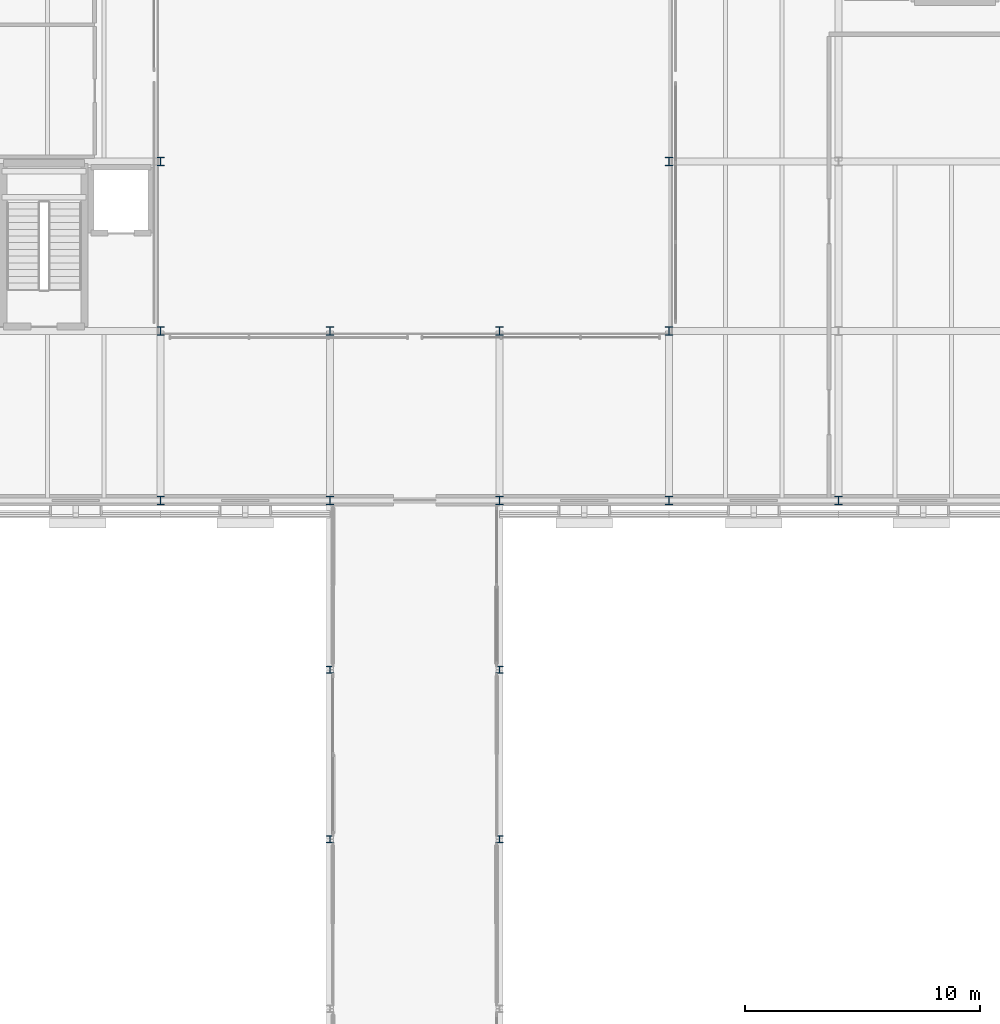
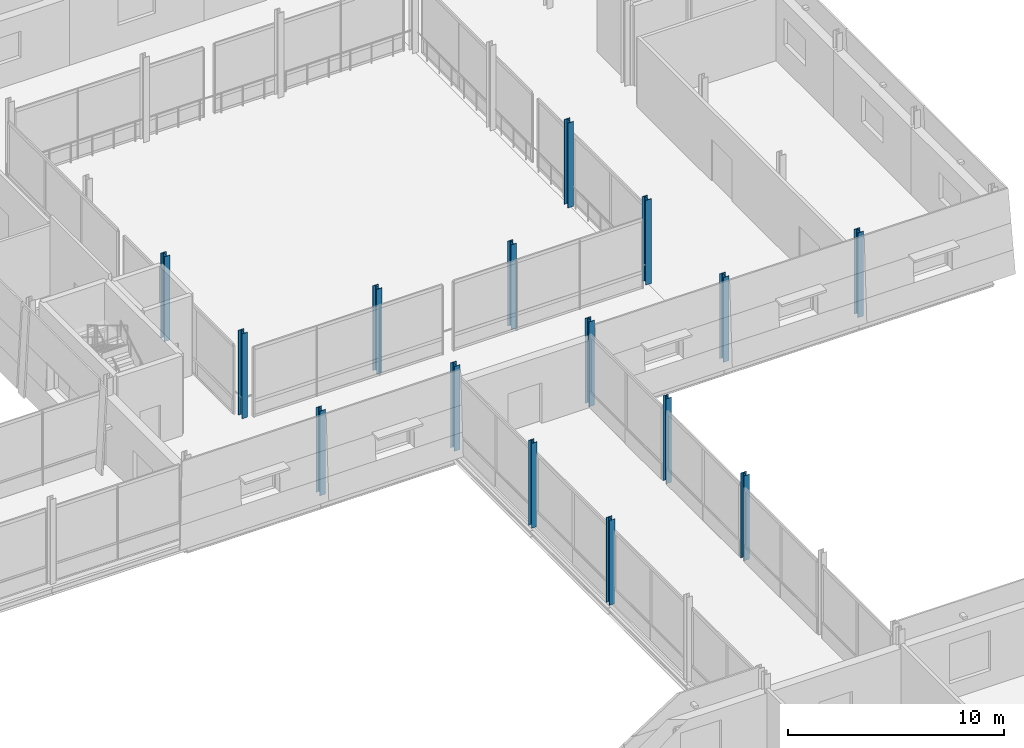
# One storey, part 19 of 121: 15 columns.
"""IFC4 building model written with IfcOpenShell, lengths in metres."""

from ifc_helpers import new_model, si_unit, direction, frame, origin, origin_2d, place, context, subcontext, project, spatial, i_section, extrude, material, material_profile, profile_set, type_object, element, save


model = new_model("IFC4")

# Units and contexts
model_context = context("Model", 3, precision=1e-05, world=origin(), true_north=direction((0.0, 1.0)))
body_context = subcontext(model_context, "Body", "Model", "MODEL_VIEW")
ifc_project = project(units=[si_unit("LENGTHUNIT", "METRE"), si_unit("AREAUNIT", "SQUARE_METRE"), si_unit("VOLUMEUNIT", "CUBIC_METRE"), si_unit("PLANEANGLEUNIT", "RADIAN"), si_unit("MASSUNIT", "GRAM", prefix="KILO")], contexts=[model_context])

# Site, building, storey
site_placement = place(None, origin())
site = spatial("IfcSite", under=ifc_project, at=site_placement, CompositionType="ELEMENT")
building_placement = place(site_placement, origin())
building = spatial("IfcBuilding", under=site, at=building_placement, Name="Narikvali Park Central Library", CompositionType="ELEMENT")
storey_placement = place(building_placement, frame((0.0, 0.0, 5.39990234375)))
storey = spatial("IfcBuildingStorey", under=building, at=storey_placement, Name="L01", CompositionType="ELEMENT", Elevation=5.39990234375)

# Columns
ifc_material = material(Name="Steel S355", Category="steel")
ifc_material_profile_1 = material_profile(ifc_material, i_section(OverallWidth=0.300048828125, OverallDepth=0.300048828125, WebThickness=0.010986328125, FlangeThickness=0.01904296875, FilletRadius=0.027099609375, at=origin_2d()), Name="HEB 300")
ifc_profile_set_1 = profile_set([ifc_material_profile_1], Name="Steel S355")
column_type_1 = type_object("IfcColumnType", Name="Steel Column HEB300", PredefinedType="COLUMN", material=ifc_profile_set_1)
for number, where, z_axis, x_axis, name in (
    (1, (136.800048828125, 64.800048828125, 0.0), (0.0, 0.0, 1.0), (1.0, 0.0, 0.0), "BRG-4 Bridge Pier L01"),
    (2, (144.0, 64.800048828125, 0.0), (0.0, 0.0, 1.0), (1.0, 0.0, 0.0), "BRG-4 Bridge Pier L01"),
    (3, (136.800048828125, 72.0, 0.0), (0.0, 0.0, 1.0), (1.0, 0.0, 0.0), "BRG-4 Bridge Pier L01"),
    (4, (144.0, 72.0, 0.0), (0.0, 0.0, 1.0), (1.0, 0.0, 0.0), "BRG-4 Bridge Pier L01"),
):
    element("IfcColumn", number, at=place(storey_placement, frame(where, z_axis=z_axis, x_axis=x_axis)), inside=storey, type_object=column_type_1, Name=name, PredefinedType="COLUMN", context=body_context, shape_type="SweptSolid", body=[
        extrude(i_section(OverallWidth=0.300048828125, OverallDepth=0.300048828125, WebThickness=0.010986328125, FlangeThickness=0.01904296875, FilletRadius=0.027099609375, at=origin_2d()), origin(), (0.0, 0.0, 1.0), 4.800048828125),
    ])
ifc_material_profile_2 = material_profile(ifc_material, i_section(OverallWidth=0.300048828125, OverallDepth=0.360107421875, WebThickness=0.012451171875, FlangeThickness=0.0224609375, FilletRadius=0.027099609375, at=origin_2d()), Name="HEB 360")
ifc_profile_set_2 = profile_set([ifc_material_profile_2], Name="Steel S355")
column_type_2 = type_object("IfcColumnType", Name="Steel Column HEB360", PredefinedType="COLUMN", material=ifc_profile_set_2)
for number, where, z_axis, x_axis, name in (
    (5, (129.60009765625, 79.199951171875, 0.0), (0.0, 0.0, 1.0), (1.0, 0.0, 0.0), "V3 L01 Column (129.6,79.2)"),
    (6, (129.60009765625, 86.39990234375, 0.0), (0.0, 0.0, 1.0), (1.0, 0.0, 0.0), "V3 L01 Column (129.6,86.4)"),
    (7, (129.60009765625, 93.60009765625, 0.0), (0.0, 0.0, 1.0), (1.0, 0.0, 0.0), "V3 L01 Column (129.6,93.6)"),
    (8, (136.800048828125, 79.199951171875, 0.0), (0.0, 0.0, 1.0), (1.0, 0.0, 0.0), "V3 L01 Column (136.8,79.2)"),
    (9, (136.800048828125, 86.39990234375, 0.0), (0.0, 0.0, 1.0), (1.0, 0.0, 0.0), "V3 L01 Column (136.8,86.4)"),
    (10, (144.0, 79.199951171875, 0.0), (0.0, 0.0, 1.0), (1.0, 0.0, 0.0), "V3 L01 Column (144.0,79.2)"),
    (11, (144.0, 86.39990234375, 0.0), (0.0, 0.0, 1.0), (1.0, 0.0, 0.0), "V3 L01 Column (144.0,86.4)"),
    (12, (151.199951171875, 79.199951171875, 0.0), (0.0, 0.0, 1.0), (1.0, 0.0, 0.0), "V3 L01 Column (151.2,79.2)"),
    (13, (151.199951171875, 86.39990234375, 0.0), (0.0, 0.0, 1.0), (1.0, 0.0, 0.0), "V3 L01 Column (151.2,86.4)"),
    (14, (151.199951171875, 93.60009765625, 0.0), (0.0, 0.0, 1.0), (1.0, 0.0, 0.0), "V3 L01 Column (151.2,93.6)"),
    (15, (158.39990234375, 79.199951171875, 0.0), (0.0, 0.0, 1.0), (1.0, 0.0, 0.0), "V3 L01 Column (158.4,79.2)"),
):
    element("IfcColumn", number, at=place(storey_placement, frame(where, z_axis=z_axis, x_axis=x_axis)), inside=storey, type_object=column_type_2, Name=name, PredefinedType="COLUMN", context=body_context, shape_type="SweptSolid", body=[
        extrude(i_section(OverallWidth=0.300048828125, OverallDepth=0.360107421875, WebThickness=0.012451171875, FlangeThickness=0.0224609375, FilletRadius=0.027099609375, at=origin_2d()), origin(), (0.0, 0.0, 1.0), 4.800048828125),
    ])

save(model, "model.ifc")
